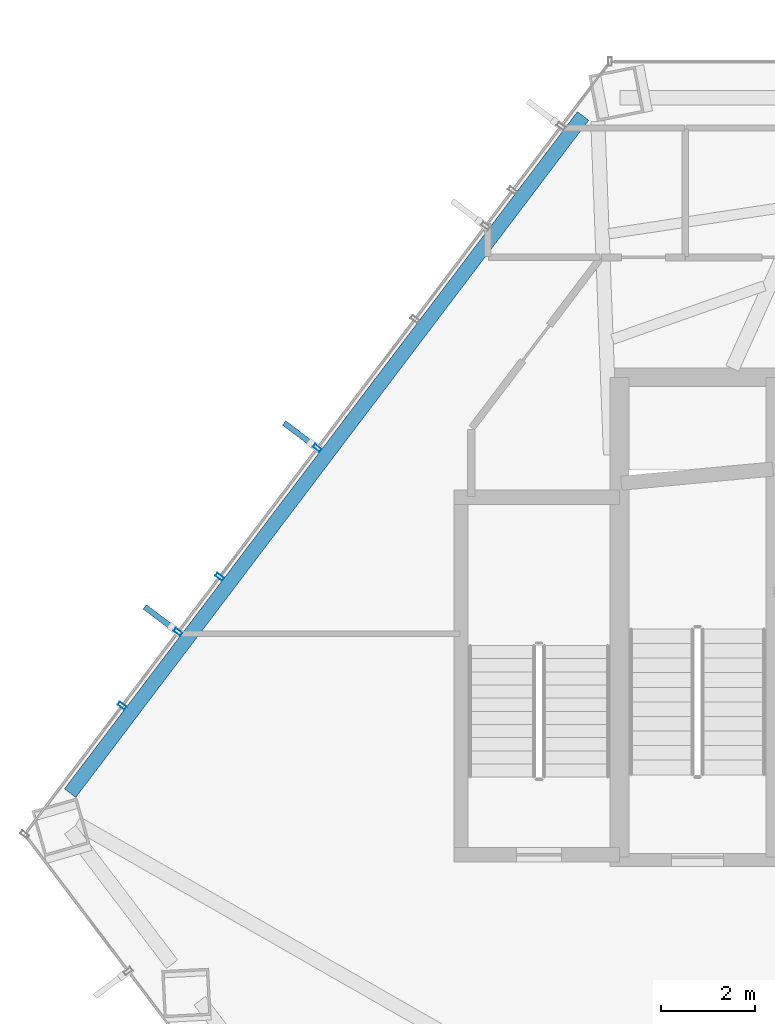
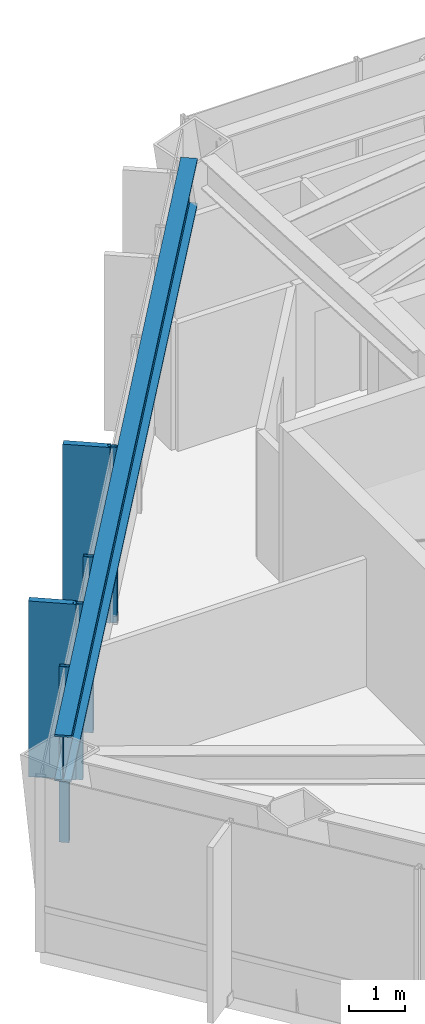
# One storey, part 11 of 26: 6 members, 1 beam, 1 element without a shape of its own.
"""IFC4 building model written with IfcOpenShell, lengths in metres."""

from ifc_helpers import new_model, si_unit, direction, frame, origin, origin_2d, place, context, subcontext, project, spatial, rectangle, hollow_rectangle, i_section, extrude, material, layer, layer_set, material_profile, profile_set, type_object, element, aggregate, save


model = new_model("IFC4")

# Units and contexts
model_context = context("Model", 3, precision=1e-05, world=origin(), true_north=direction((0.0, 1.0)))
body_context = subcontext(model_context, "Body", "Model", "MODEL_VIEW")
ifc_project = project(units=[si_unit("LENGTHUNIT", "METRE"), si_unit("AREAUNIT", "SQUARE_METRE"), si_unit("VOLUMEUNIT", "CUBIC_METRE"), si_unit("PLANEANGLEUNIT", "RADIAN"), si_unit("MASSUNIT", "GRAM", prefix="KILO")], contexts=[model_context])

# Site, building, storey
site_placement = place(None, origin())
site = spatial("IfcSite", under=ifc_project, at=site_placement, CompositionType="ELEMENT")
building_placement = place(site_placement, origin())
building = spatial("IfcBuilding", under=site, at=building_placement, Name="Zarrinselat Tower", CompositionType="ELEMENT")
storey_placement = place(building_placement, frame((0.0, 0.0, 35.699951171875)))
storey = spatial("IfcBuildingStorey", under=building, at=storey_placement, Name="L08", CompositionType="ELEMENT", Elevation=35.699951171875)

# Beam
ifc_material_1 = material(Name="Steel S460M", Category="steel")
ifc_material_profile_1 = material_profile(ifc_material_1, i_section(OverallWidth=0.302001953125, OverallDepth=1.008056640625, WebThickness=0.02099609375, FlangeThickness=0.0400390625, at=origin_2d()), Name="HEM 1000")
ifc_profile_set_1 = profile_set([ifc_material_profile_1], Name="Steel S460M")
beam_type = type_object("IfcBeamType", Name="BM-HEM1000", PredefinedType="BEAM", material=ifc_profile_set_1)
beam_placement = place(storey_placement, frame((16.921875, 34.610107421875, 3.316162109375), z_axis=(0.603858208545, 0.797091753798, 0.0), x_axis=(-0.797091753798, 0.603858208545, 0.0)))
element("IfcBeam", 1, at=beam_placement, inside=storey, type_object=beam_type, Name="L08 Perimeter Spandrel Girder SP05", PredefinedType="BEAM", context=body_context, shape_type="SweptSolid", body=[
    extrude(i_section(OverallWidth=0.302001953125, OverallDepth=1.008056640625, WebThickness=0.02099609375, FlangeThickness=0.0400390625, at=origin_2d()), origin(), (0.0, 0.0, 1.0), 18.059814453125),
])

# Curtain wall, members
ifc_material_2 = material(Name="Extruded Aluminium Alloy EN AW-6063 T6", Category="aluminium")
ifc_layer = layer(ifc_material_2, 0.18505859375)
ifc_layer_set = layer_set([ifc_layer], Name="Extruded Aluminium Alloy EN AW-6063 T6")
curtain_wall_type = type_object("IfcCurtainWallType", Name="CWS-OFF", PredefinedType="NOTDEFINED", material=ifc_layer_set)
curtain_wall_placement = place(storey_placement, origin())
curtain_wall = element("IfcCurtainWall", 2, at=curtain_wall_placement, inside=storey, type_object=curtain_wall_type, Name="L08 Unitised Curtain Wall CW-L08-E02", PredefinedType="NOTDEFINED")
ifc_material_3 = material(Name="Extruded Aluminium Alloy EN AW-6063 T6", Category="aluminium")
ifc_material_profile_2 = material_profile(ifc_material_3, hollow_rectangle(XDim=0.080078125, YDim=0.179931640625, WallThickness=0.0048828125, at=origin_2d()), Name="RHS 180x80x5")
ifc_profile_set_2 = profile_set([ifc_material_profile_2], Name="Extruded Aluminium Alloy EN AW-6063 T6")
member_type_1 = type_object("IfcMemberType", Name="MEM-CW-MUL", PredefinedType="MULLION", material=ifc_profile_set_2)
member_1_placement = place(storey_placement, frame((22.176025390625, 41.9462890625, 0.0), z_axis=(0.0, 0.0, 1.0), x_axis=(-0.603858715485, -0.797091369752, 0.0)))
member_1 = element("IfcMember", 3, at=member_1_placement, type_object=member_type_1, Name="CW-L08-E02 Mullion 5", PredefinedType="MULLION", context=body_context, shape_type="SweptSolid", body=[
    extrude(hollow_rectangle(XDim=0.080078125, YDim=0.179931640625, WallThickness=0.0048828125, at=origin_2d()), origin(), (0.0, 0.0, 1.0), 3.820068359375),
])
member_2_placement = place(storey_placement, frame((20.1015625, 39.2080078125, 0.0), z_axis=(0.0, 0.0, 1.0), x_axis=(-0.603858715485, -0.797091369752, 0.0)))
member_2 = element("IfcMember", 4, at=member_2_placement, type_object=member_type_1, Name="CW-L08-E02 Mullion 6", PredefinedType="MULLION", context=body_context, shape_type="SweptSolid", body=[
    extrude(hollow_rectangle(XDim=0.080078125, YDim=0.179931640625, WallThickness=0.0048828125, at=origin_2d()), origin(), (0.0, 0.0, 1.0), 3.820068359375),
])
member_3_placement = place(storey_placement, frame((19.2138671875, 38.0361328125, 0.0), z_axis=(0.0, 0.0, 1.0), x_axis=(-0.603858715485, -0.797091369752, 0.0)))
member_3 = element("IfcMember", 5, at=member_3_placement, type_object=member_type_1, Name="CW-L08-E02 Mullion 7", PredefinedType="MULLION", context=body_context, shape_type="SweptSolid", body=[
    extrude(hollow_rectangle(XDim=0.080078125, YDim=0.179931640625, WallThickness=0.0048828125, at=origin_2d()), origin(), (0.0, 0.0, 1.0), 3.820068359375),
])
member_4_placement = place(storey_placement, frame((18.027099609375, 36.4697265625, 0.0), z_axis=(0.0, 0.0, 1.0), x_axis=(-0.603858715485, -0.797091369752, 0.0)))
member_4 = element("IfcMember", 6, at=member_4_placement, type_object=member_type_1, Name="CW-L08-E02 Mullion 8", PredefinedType="MULLION", context=body_context, shape_type="SweptSolid", body=[
    extrude(hollow_rectangle(XDim=0.080078125, YDim=0.179931640625, WallThickness=0.0048828125, at=origin_2d()), origin(), (0.0, 0.0, 1.0), 3.820068359375),
])
ifc_material_4 = material(Name="Honed Cream Travertine Stone", Category="masonry")
ifc_material_profile_3 = material_profile(ifc_material_4, rectangle(XDim=0.1201171875, YDim=0.85009765625, at=origin_2d()), Name="FIN 850x120")
ifc_profile_set_3 = profile_set([ifc_material_profile_3], Name="Honed Cream Travertine Stone")
member_type_2 = type_object("IfcMemberType", Name="MEM-STONE-FIN", PredefinedType="USERDEFINED", material=ifc_profile_set_3)
member_5_placement = place(storey_placement, frame((21.809326171875, 42.22412109375, 0.0), z_axis=(0.0, 0.0, 1.0), x_axis=(0.603858715485, 0.797091369752, 0.0)))
member_5 = element("IfcMember", 7, at=member_5_placement, type_object=member_type_2, Name="L08 Stone Shading Fin CW-L08-E02-05", ObjectType="FIN", PredefinedType="USERDEFINED", context=body_context, shape_type="SweptSolid", body=[
    extrude(rectangle(XDim=0.1201171875, YDim=0.85009765625, at=origin_2d()), origin(), (0.0, 0.0, 1.0), 3.820068359375),
])
member_6_placement = place(storey_placement, frame((18.84716796875, 38.31396484375, 0.0), z_axis=(0.0, 0.0, 1.0), x_axis=(0.603858715485, 0.797091369752, 0.0)))
member_6 = element("IfcMember", 8, at=member_6_placement, type_object=member_type_2, Name="L08 Stone Shading Fin CW-L08-E02-07", ObjectType="FIN", PredefinedType="USERDEFINED", context=body_context, shape_type="SweptSolid", body=[
    extrude(rectangle(XDim=0.1201171875, YDim=0.85009765625, at=origin_2d()), origin(), (0.0, 0.0, 1.0), 3.820068359375),
])
aggregate(curtain_wall, [member_1, member_5, member_2, member_3, member_6, member_4])

save(model, "model.ifc")
